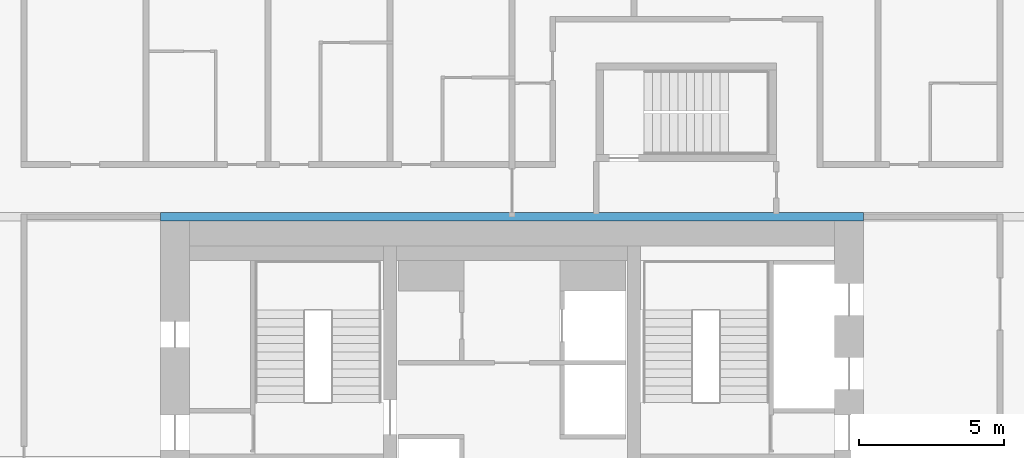
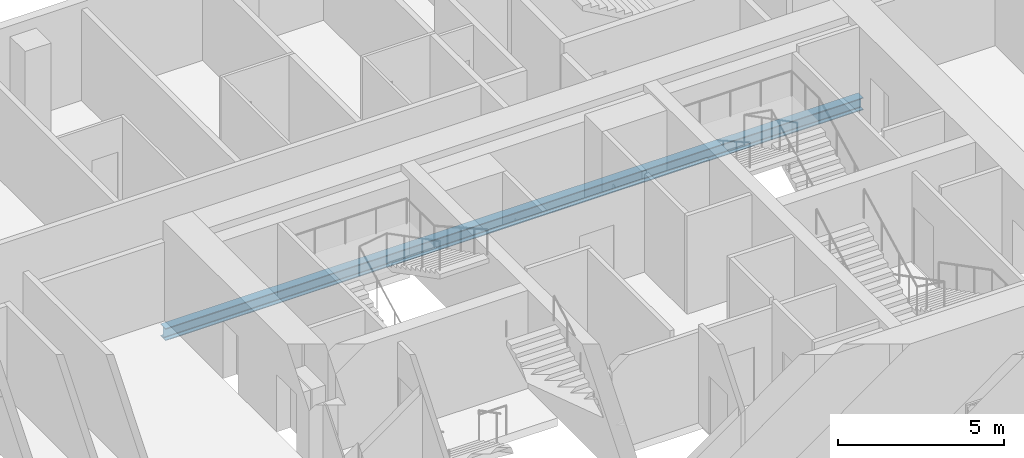
# One storey, part 9 of 23: 1 beam.
"""IFC4 building model written with IfcOpenShell, lengths in metres."""

from ifc_helpers import new_model, si_unit, direction, frame, origin, origin_2d, place, context, subcontext, project, spatial, i_section, extrude, material, material_profile, profile_set, type_object, element, save


model = new_model("IFC4")

# Units and contexts
model_context = context("Model", 3, precision=1e-05, world=origin(), true_north=direction((0.0, 1.0)))
body_context = subcontext(model_context, "Body", "Model", "MODEL_VIEW")
ifc_project = project(units=[si_unit("LENGTHUNIT", "METRE"), si_unit("AREAUNIT", "SQUARE_METRE"), si_unit("VOLUMEUNIT", "CUBIC_METRE"), si_unit("PLANEANGLEUNIT", "RADIAN"), si_unit("MASSUNIT", "GRAM", prefix="KILO")], contexts=[model_context])

# Site, building, storey
site_placement = place(None, origin())
site = spatial("IfcSite", under=ifc_project, at=site_placement, CompositionType="ELEMENT")
building_placement = place(site_placement, origin())
building = spatial("IfcBuilding", under=site, at=building_placement, Name="Marenta Gate Hotel Tower", CompositionType="ELEMENT")
storey_placement = place(building_placement, frame((0.0, 0.0, 112.10009765625)))
storey = spatial("IfcBuildingStorey", under=building, at=storey_placement, Name="L24", CompositionType="ELEMENT", Elevation=112.10009765625)

# Beam
ifc_material = material(Name="Steel S355", Category="steel")
ifc_material_profile = material_profile(ifc_material, i_section(OverallWidth=0.300048828125, OverallDepth=0.449951171875, WebThickness=0.013916015625, FlangeThickness=0.02587890625, FilletRadius=0.027099609375, at=origin_2d()), Name="HEB 450")
ifc_profile_set = profile_set([ifc_material_profile], Name="Steel S355")
beam_type = type_object("IfcBeamType", Name="Girder HEB 450", PredefinedType="BEAM", material=ifc_profile_set)
beam_placement = place(storey_placement, frame((-12.10009765625, 16.800048828125, -0.485107421875), z_axis=(1.0, 0.0, 0.0), x_axis=(0.0, 1.0, 0.0)))
element("IfcBeam", 1, at=beam_placement, inside=storey, type_object=beam_type, Name="L24-GD-26", PredefinedType="BEAM", context=body_context, shape_type="SweptSolid", body=[
    extrude(i_section(OverallWidth=0.300048828125, OverallDepth=0.449951171875, WebThickness=0.013916015625, FlangeThickness=0.02587890625, FilletRadius=0.027099609375, at=origin_2d()), origin(), (0.0, 0.0, 1.0), 24.2001953125),
])

save(model, "model.ifc")
